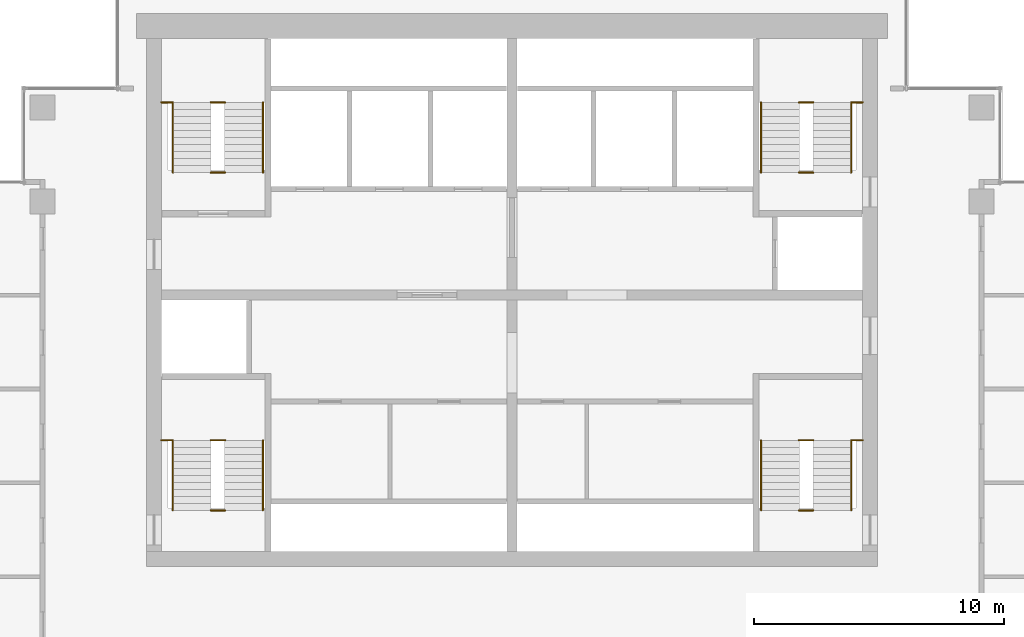
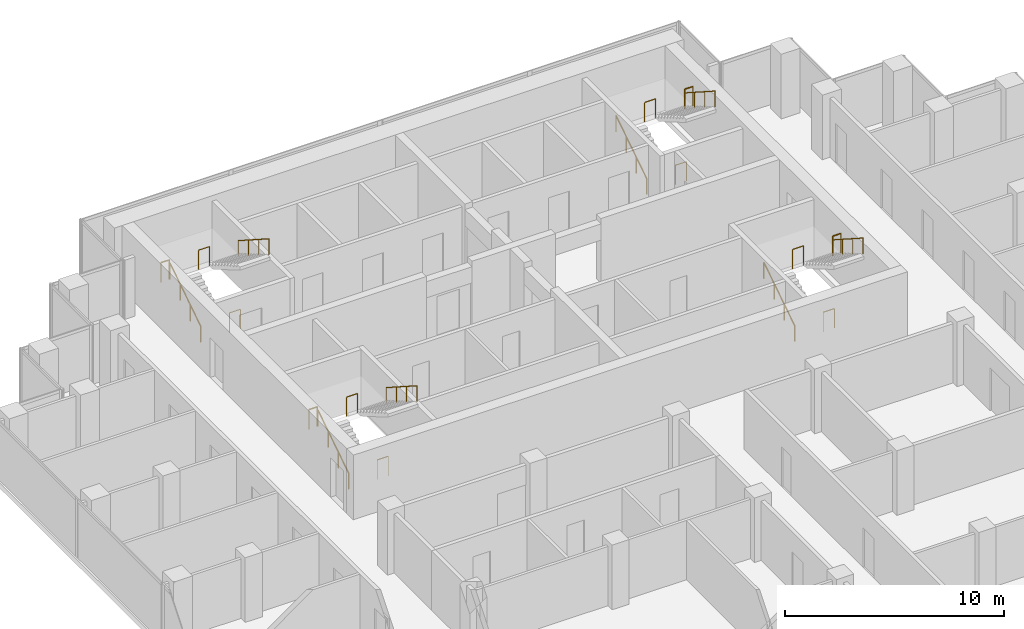
# One storey, part 12 of 12: 20 railings.
"""IFC4 building model written with IfcOpenShell, lengths in metres."""

from ifc_helpers import new_model, si_unit, direction, frame, origin, origin_2d, place, context, subcontext, project, spatial, circle, extrude, material, type_object, element, save


model = new_model("IFC4")

# Units and contexts
model_context = context("Model", 3, precision=1e-05, world=origin(), true_north=direction((0.0, 1.0)))
body_context = subcontext(model_context, "Body", "Model", "MODEL_VIEW")
ifc_project = project(units=[si_unit("LENGTHUNIT", "METRE"), si_unit("AREAUNIT", "SQUARE_METRE"), si_unit("VOLUMEUNIT", "CUBIC_METRE"), si_unit("PLANEANGLEUNIT", "RADIAN"), si_unit("MASSUNIT", "GRAM", prefix="KILO")], contexts=[model_context])

# Site, building, storey
site_placement = place(None, origin())
site = spatial("IfcSite", under=ifc_project, at=site_placement, CompositionType="ELEMENT")
building_placement = place(site_placement, origin())
building = spatial("IfcBuilding", under=site, at=building_placement, Name="Pilkhan Gate Tower", CompositionType="ELEMENT")
storey_placement = place(building_placement, frame((0.0, 0.0, 188.699951171875)))
storey = spatial("IfcBuildingStorey", under=building, at=storey_placement, Name="L48", CompositionType="ELEMENT", Elevation=188.699951171875)

# Railings
ifc_material_1 = material(Name="Black powder-coated steel tube", Category="steel")
railing_type_1 = type_object("IfcRailingType", Name="Stair handrail HR1", PredefinedType="HANDRAIL", material=ifc_material_1)
railing_1_placement = place(storey_placement, frame((84.949951171875, 73.89990234375, 0.0)))
element("IfcRailing", 1, at=railing_1_placement, inside=storey, type_object=railing_type_1, Name="Stair ST1 handrail L48", PredefinedType="HANDRAIL", context=body_context, shape_type="SweptSolid", body=[
    extrude(circle(Radius=0.02392578125, at=origin_2d()), frame((0.0, 0.0, 0.8759765625), z_axis=(0.0, 0.841176092368, 0.540761298198), x_axis=(-1.0, 0.0, 0.0)), (0.0, 0.0, 1.0), 3.32861328125),
    extrude(circle(Radius=0.02099609375, at=origin_2d()), origin(), (0.0, 0.0, 1.0), 0.851806640625),
    extrude(circle(Radius=0.02099609375, at=origin_2d()), frame((0.0, 0.933349609375, 0.60009765625)), (0.0, 0.0, 1.0), 0.851806640625),
    extrude(circle(Radius=0.02099609375, at=origin_2d()), frame((0.0, 1.86669921875, 1.199951171875)), (0.0, 0.0, 1.0), 0.851806640625),
    extrude(circle(Radius=0.02099609375, at=origin_2d()), frame((0.0, 2.800048828125, 1.800048828125)), (0.0, 0.0, 1.0), 0.851806640625),
])
railing_2_placement = place(storey_placement, frame((88.550048828125, 76.699951171875, 1.800048828125)))
element("IfcRailing", 2, at=railing_2_placement, inside=storey, type_object=railing_type_1, Name="Stair ST1 handrail L48", PredefinedType="HANDRAIL", context=body_context, shape_type="SweptSolid", body=[
    extrude(circle(Radius=0.02392578125, at=origin_2d()), frame((0.0, 0.0, 0.8759765625), z_axis=(0.0, -0.841176092368, 0.540761298198), x_axis=(1.0, 0.0, 0.0)), (0.0, 0.0, 1.0), 3.32861328125),
    extrude(circle(Radius=0.02099609375, at=origin_2d()), origin(), (0.0, 0.0, 1.0), 0.851806640625),
    extrude(circle(Radius=0.02099609375, at=origin_2d()), frame((0.0, -0.933349609375, 0.60009765625)), (0.0, 0.0, 1.0), 0.851806640625),
    extrude(circle(Radius=0.02099609375, at=origin_2d()), frame((0.0, -1.86669921875, 1.199951171875)), (0.0, 0.0, 1.0), 0.851806640625),
    extrude(circle(Radius=0.02099609375, at=origin_2d()), frame((0.0, -2.800048828125, 1.800048828125)), (0.0, 0.0, 1.0), 0.851806640625),
])
railing_3_placement = place(storey_placement, frame((61.449951171875, 73.89990234375, 0.0)))
element("IfcRailing", 3, at=railing_3_placement, inside=storey, type_object=railing_type_1, Name="Stair ST2 handrail L48", PredefinedType="HANDRAIL", context=body_context, shape_type="SweptSolid", body=[
    extrude(circle(Radius=0.02392578125, at=origin_2d()), frame((0.0, 0.0, 0.8759765625), z_axis=(0.0, 0.841176092368, 0.540761298198), x_axis=(-1.0, 0.0, 0.0)), (0.0, 0.0, 1.0), 3.32861328125),
    extrude(circle(Radius=0.02099609375, at=origin_2d()), origin(), (0.0, 0.0, 1.0), 0.851806640625),
    extrude(circle(Radius=0.02099609375, at=origin_2d()), frame((0.0, 0.933349609375, 0.60009765625)), (0.0, 0.0, 1.0), 0.851806640625),
    extrude(circle(Radius=0.02099609375, at=origin_2d()), frame((0.0, 1.86669921875, 1.199951171875)), (0.0, 0.0, 1.0), 0.851806640625),
    extrude(circle(Radius=0.02099609375, at=origin_2d()), frame((0.0, 2.800048828125, 1.800048828125)), (0.0, 0.0, 1.0), 0.851806640625),
])
railing_4_placement = place(storey_placement, frame((65.050048828125, 76.699951171875, 1.800048828125)))
element("IfcRailing", 4, at=railing_4_placement, inside=storey, type_object=railing_type_1, Name="Stair ST2 handrail L48", PredefinedType="HANDRAIL", context=body_context, shape_type="SweptSolid", body=[
    extrude(circle(Radius=0.02392578125, at=origin_2d()), frame((0.0, 0.0, 0.8759765625), z_axis=(0.0, -0.841176092368, 0.540761298198), x_axis=(1.0, 0.0, 0.0)), (0.0, 0.0, 1.0), 3.32861328125),
    extrude(circle(Radius=0.02099609375, at=origin_2d()), origin(), (0.0, 0.0, 1.0), 0.851806640625),
    extrude(circle(Radius=0.02099609375, at=origin_2d()), frame((0.0, -0.933349609375, 0.60009765625)), (0.0, 0.0, 1.0), 0.851806640625),
    extrude(circle(Radius=0.02099609375, at=origin_2d()), frame((0.0, -1.86669921875, 1.199951171875)), (0.0, 0.0, 1.0), 0.851806640625),
    extrude(circle(Radius=0.02099609375, at=origin_2d()), frame((0.0, -2.800048828125, 1.800048828125)), (0.0, 0.0, 1.0), 0.851806640625),
])
railing_5_placement = place(storey_placement, frame((61.449951171875, 87.39990234375, 0.0)))
element("IfcRailing", 5, at=railing_5_placement, inside=storey, type_object=railing_type_1, Name="Stair ST3 handrail L48", PredefinedType="HANDRAIL", context=body_context, shape_type="SweptSolid", body=[
    extrude(circle(Radius=0.02392578125, at=origin_2d()), frame((0.0, 0.0, 0.8759765625), z_axis=(0.0, 0.841176092368, 0.540761298198), x_axis=(-1.0, 0.0, 0.0)), (0.0, 0.0, 1.0), 3.32861328125),
    extrude(circle(Radius=0.02099609375, at=origin_2d()), origin(), (0.0, 0.0, 1.0), 0.851806640625),
    extrude(circle(Radius=0.02099609375, at=origin_2d()), frame((0.0, 0.933349609375, 0.60009765625)), (0.0, 0.0, 1.0), 0.851806640625),
    extrude(circle(Radius=0.02099609375, at=origin_2d()), frame((0.0, 1.86669921875, 1.199951171875)), (0.0, 0.0, 1.0), 0.851806640625),
    extrude(circle(Radius=0.02099609375, at=origin_2d()), frame((0.0, 2.800048828125, 1.800048828125)), (0.0, 0.0, 1.0), 0.851806640625),
])
railing_6_placement = place(storey_placement, frame((65.050048828125, 90.199951171875, 1.800048828125)))
element("IfcRailing", 6, at=railing_6_placement, inside=storey, type_object=railing_type_1, Name="Stair ST3 handrail L48", PredefinedType="HANDRAIL", context=body_context, shape_type="SweptSolid", body=[
    extrude(circle(Radius=0.02392578125, at=origin_2d()), frame((0.0, 0.0, 0.8759765625), z_axis=(0.0, -0.841176092368, 0.540761298198), x_axis=(1.0, 0.0, 0.0)), (0.0, 0.0, 1.0), 3.32861328125),
    extrude(circle(Radius=0.02099609375, at=origin_2d()), origin(), (0.0, 0.0, 1.0), 0.851806640625),
    extrude(circle(Radius=0.02099609375, at=origin_2d()), frame((0.0, -0.933349609375, 0.60009765625)), (0.0, 0.0, 1.0), 0.851806640625),
    extrude(circle(Radius=0.02099609375, at=origin_2d()), frame((0.0, -1.86669921875, 1.199951171875)), (0.0, 0.0, 1.0), 0.851806640625),
    extrude(circle(Radius=0.02099609375, at=origin_2d()), frame((0.0, -2.800048828125, 1.800048828125)), (0.0, 0.0, 1.0), 0.851806640625),
])
railing_7_placement = place(storey_placement, frame((84.949951171875, 87.39990234375, 0.0)))
element("IfcRailing", 7, at=railing_7_placement, inside=storey, type_object=railing_type_1, Name="Stair ST4 handrail L48", PredefinedType="HANDRAIL", context=body_context, shape_type="SweptSolid", body=[
    extrude(circle(Radius=0.02392578125, at=origin_2d()), frame((0.0, 0.0, 0.8759765625), z_axis=(0.0, 0.841176092368, 0.540761298198), x_axis=(-1.0, 0.0, 0.0)), (0.0, 0.0, 1.0), 3.32861328125),
    extrude(circle(Radius=0.02099609375, at=origin_2d()), origin(), (0.0, 0.0, 1.0), 0.851806640625),
    extrude(circle(Radius=0.02099609375, at=origin_2d()), frame((0.0, 0.933349609375, 0.60009765625)), (0.0, 0.0, 1.0), 0.851806640625),
    extrude(circle(Radius=0.02099609375, at=origin_2d()), frame((0.0, 1.86669921875, 1.199951171875)), (0.0, 0.0, 1.0), 0.851806640625),
    extrude(circle(Radius=0.02099609375, at=origin_2d()), frame((0.0, 2.800048828125, 1.800048828125)), (0.0, 0.0, 1.0), 0.851806640625),
])
railing_8_placement = place(storey_placement, frame((88.550048828125, 90.199951171875, 1.800048828125)))
element("IfcRailing", 8, at=railing_8_placement, inside=storey, type_object=railing_type_1, Name="Stair ST4 handrail L48", PredefinedType="HANDRAIL", context=body_context, shape_type="SweptSolid", body=[
    extrude(circle(Radius=0.02392578125, at=origin_2d()), frame((0.0, 0.0, 0.8759765625), z_axis=(0.0, -0.841176092368, 0.540761298198), x_axis=(1.0, 0.0, 0.0)), (0.0, 0.0, 1.0), 3.32861328125),
    extrude(circle(Radius=0.02099609375, at=origin_2d()), origin(), (0.0, 0.0, 1.0), 0.851806640625),
    extrude(circle(Radius=0.02099609375, at=origin_2d()), frame((0.0, -0.933349609375, 0.60009765625)), (0.0, 0.0, 1.0), 0.851806640625),
    extrude(circle(Radius=0.02099609375, at=origin_2d()), frame((0.0, -1.86669921875, 1.199951171875)), (0.0, 0.0, 1.0), 0.851806640625),
    extrude(circle(Radius=0.02099609375, at=origin_2d()), frame((0.0, -2.800048828125, 1.800048828125)), (0.0, 0.0, 1.0), 0.851806640625),
])
ifc_material_2 = material(Name="Black powder-coated steel balusters", Category="steel")
railing_type_2 = type_object("IfcRailingType", Name="Stair well guard G3", PredefinedType="GUARDRAIL", material=ifc_material_2)
railing_9_placement = place(storey_placement, frame((88.580078125, 76.699951171875, 1.800048828125)))
element("IfcRailing", 9, at=railing_9_placement, inside=storey, type_object=railing_type_2, Name="Stair ST1 well guard L48", PredefinedType="GUARDRAIL", context=body_context, shape_type="SweptSolid", body=[
    extrude(circle(Radius=0.02392578125, at=origin_2d()), frame((0.0, 0.0, 1.076171875), z_axis=(1.0, 0.0, 0.0), x_axis=(0.0, 1.0, 0.0)), (0.0, 0.0, 1.0), 0.43994140625),
    extrude(circle(Radius=0.02099609375, at=origin_2d()), origin(), (0.0, 0.0, 1.0), 1.052001953125),
    extrude(circle(Radius=0.02099609375, at=origin_2d()), frame((0.43994140625, 0.0, 0.0)), (0.0, 0.0, 1.0), 1.052001953125),
])
for number, where, name in (
    (10, (86.4599609375, 73.89990234375, 0.0), "Stair ST1 well guard L48"),
    (11, (86.4599609375, 76.699951171875, 1.800048828125), "Stair ST1 well guard L48"),
):
    element("IfcRailing", number, at=place(storey_placement, frame(where)), inside=storey, type_object=railing_type_2, Name=name, PredefinedType="GUARDRAIL", context=body_context, shape_type="SweptSolid", body=[
        extrude(circle(Radius=0.02392578125, at=origin_2d()), frame((0.0, 0.0, 1.076171875), z_axis=(1.0, 0.0, 0.0), x_axis=(0.0, 1.0, 0.0)), (0.0, 0.0, 1.0), 0.580078125),
        extrude(circle(Radius=0.02099609375, at=origin_2d()), origin(), (0.0, 0.0, 1.0), 1.052001953125),
        extrude(circle(Radius=0.02099609375, at=origin_2d()), frame((0.580078125, 0.0, 0.0)), (0.0, 0.0, 1.0), 1.052001953125),
    ])
railing_10_placement = place(storey_placement, frame((60.97998046875, 76.699951171875, 1.800048828125)))
element("IfcRailing", 12, at=railing_10_placement, inside=storey, type_object=railing_type_2, Name="Stair ST2 well guard L48", PredefinedType="GUARDRAIL", context=body_context, shape_type="SweptSolid", body=[
    extrude(circle(Radius=0.02392578125, at=origin_2d()), frame((0.0, 0.0, 1.076171875), z_axis=(1.0, 0.0, 0.0), x_axis=(0.0, 1.0, 0.0)), (0.0, 0.0, 1.0), 0.43994140625),
    extrude(circle(Radius=0.02099609375, at=origin_2d()), origin(), (0.0, 0.0, 1.0), 1.052001953125),
    extrude(circle(Radius=0.02099609375, at=origin_2d()), frame((0.43994140625, 0.0, 0.0)), (0.0, 0.0, 1.0), 1.052001953125),
])
for number, where, name in (
    (13, (62.9599609375, 73.89990234375, 0.0), "Stair ST2 well guard L48"),
    (14, (62.9599609375, 76.699951171875, 1.800048828125), "Stair ST2 well guard L48"),
):
    element("IfcRailing", number, at=place(storey_placement, frame(where)), inside=storey, type_object=railing_type_2, Name=name, PredefinedType="GUARDRAIL", context=body_context, shape_type="SweptSolid", body=[
        extrude(circle(Radius=0.02392578125, at=origin_2d()), frame((0.0, 0.0, 1.076171875), z_axis=(1.0, 0.0, 0.0), x_axis=(0.0, 1.0, 0.0)), (0.0, 0.0, 1.0), 0.580078125),
        extrude(circle(Radius=0.02099609375, at=origin_2d()), origin(), (0.0, 0.0, 1.0), 1.052001953125),
        extrude(circle(Radius=0.02099609375, at=origin_2d()), frame((0.580078125, 0.0, 0.0)), (0.0, 0.0, 1.0), 1.052001953125),
    ])
railing_11_placement = place(storey_placement, frame((60.97998046875, 90.199951171875, 1.800048828125)))
element("IfcRailing", 15, at=railing_11_placement, inside=storey, type_object=railing_type_2, Name="Stair ST3 well guard L48", PredefinedType="GUARDRAIL", context=body_context, shape_type="SweptSolid", body=[
    extrude(circle(Radius=0.02392578125, at=origin_2d()), frame((0.0, 0.0, 1.076171875), z_axis=(1.0, 0.0, 0.0), x_axis=(0.0, 1.0, 0.0)), (0.0, 0.0, 1.0), 0.43994140625),
    extrude(circle(Radius=0.02099609375, at=origin_2d()), origin(), (0.0, 0.0, 1.0), 1.052001953125),
    extrude(circle(Radius=0.02099609375, at=origin_2d()), frame((0.43994140625, 0.0, 0.0)), (0.0, 0.0, 1.0), 1.052001953125),
])
for number, where, name in (
    (16, (62.9599609375, 87.39990234375, 0.0), "Stair ST3 well guard L48"),
    (17, (62.9599609375, 90.199951171875, 1.800048828125), "Stair ST3 well guard L48"),
):
    element("IfcRailing", number, at=place(storey_placement, frame(where)), inside=storey, type_object=railing_type_2, Name=name, PredefinedType="GUARDRAIL", context=body_context, shape_type="SweptSolid", body=[
        extrude(circle(Radius=0.02392578125, at=origin_2d()), frame((0.0, 0.0, 1.076171875), z_axis=(1.0, 0.0, 0.0), x_axis=(0.0, 1.0, 0.0)), (0.0, 0.0, 1.0), 0.580078125),
        extrude(circle(Radius=0.02099609375, at=origin_2d()), origin(), (0.0, 0.0, 1.0), 1.052001953125),
        extrude(circle(Radius=0.02099609375, at=origin_2d()), frame((0.580078125, 0.0, 0.0)), (0.0, 0.0, 1.0), 1.052001953125),
    ])
railing_12_placement = place(storey_placement, frame((88.580078125, 90.199951171875, 1.800048828125)))
element("IfcRailing", 18, at=railing_12_placement, inside=storey, type_object=railing_type_2, Name="Stair ST4 well guard L48", PredefinedType="GUARDRAIL", context=body_context, shape_type="SweptSolid", body=[
    extrude(circle(Radius=0.02392578125, at=origin_2d()), frame((0.0, 0.0, 1.076171875), z_axis=(1.0, 0.0, 0.0), x_axis=(0.0, 1.0, 0.0)), (0.0, 0.0, 1.0), 0.43994140625),
    extrude(circle(Radius=0.02099609375, at=origin_2d()), origin(), (0.0, 0.0, 1.0), 1.052001953125),
    extrude(circle(Radius=0.02099609375, at=origin_2d()), frame((0.43994140625, 0.0, 0.0)), (0.0, 0.0, 1.0), 1.052001953125),
])
for number, where, name in (
    (19, (86.4599609375, 87.39990234375, 0.0), "Stair ST4 well guard L48"),
    (20, (86.4599609375, 90.199951171875, 1.800048828125), "Stair ST4 well guard L48"),
):
    element("IfcRailing", number, at=place(storey_placement, frame(where)), inside=storey, type_object=railing_type_2, Name=name, PredefinedType="GUARDRAIL", context=body_context, shape_type="SweptSolid", body=[
        extrude(circle(Radius=0.02392578125, at=origin_2d()), frame((0.0, 0.0, 1.076171875), z_axis=(1.0, 0.0, 0.0), x_axis=(0.0, 1.0, 0.0)), (0.0, 0.0, 1.0), 0.580078125),
        extrude(circle(Radius=0.02099609375, at=origin_2d()), origin(), (0.0, 0.0, 1.0), 1.052001953125),
        extrude(circle(Radius=0.02099609375, at=origin_2d()), frame((0.580078125, 0.0, 0.0)), (0.0, 0.0, 1.0), 1.052001953125),
    ])

save(model, "model.ifc")
